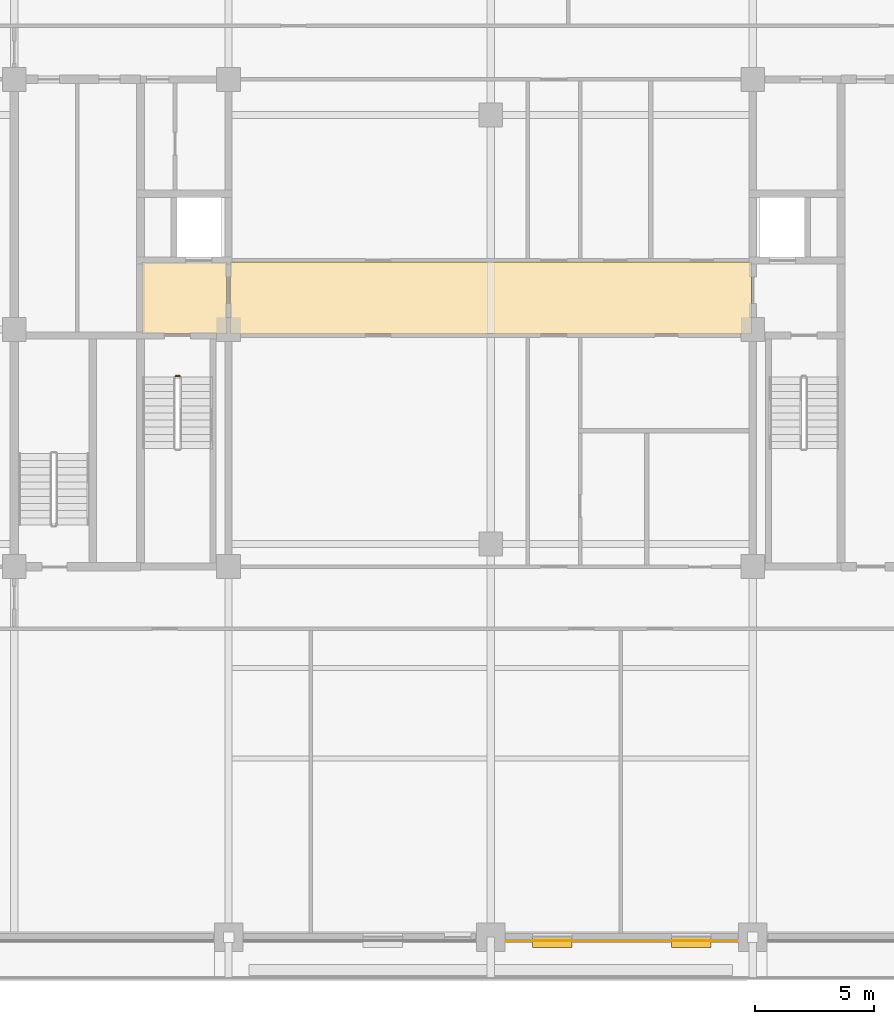
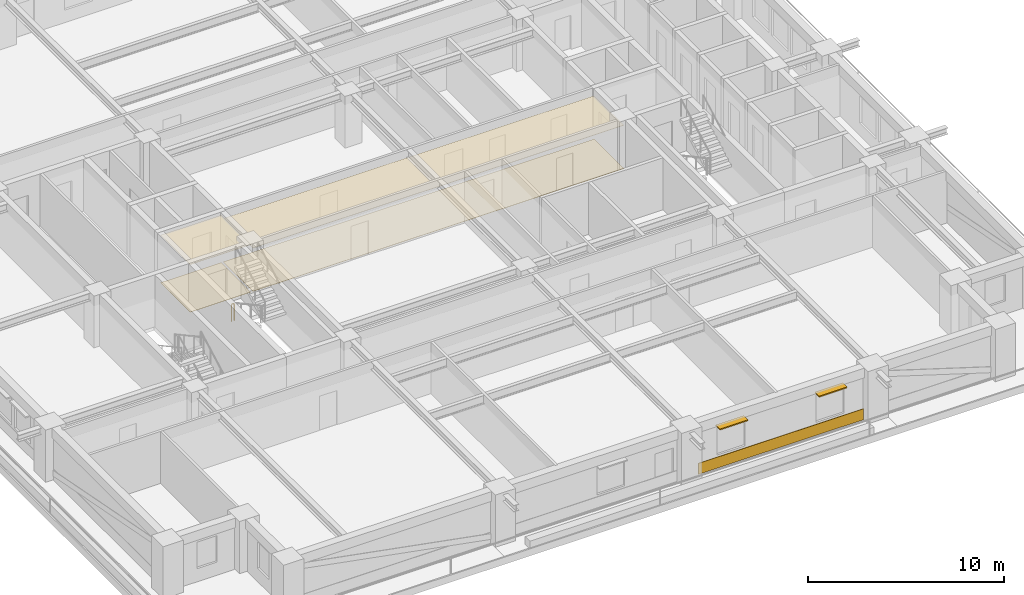
# One storey, part 12 of 15: 5 coverings, 2 shading devices, 1 railing.
"""IFC4 building model written with IfcOpenShell, lengths in metres."""

import ifcopenshell
import ifcopenshell.guid

model = None  # the IFC model being written
_history = None  # IfcOwnerHistory: only IFC2X3 demands one
_inside = {}  # id of a spatial element -> (the spatial element, [elements in it])
_under = {}  # id of a project, library or spatial element -> (it, [spatial elements below it])
_declared = {}  # id of a project -> (the project, [libraries it declares])
_typed = {}  # id of a type object -> (the type object, [elements of that type])
_made_of = {}  # id of a material, layer set ... -> (it, [elements and type objects made of it])


def new_model(schema):
    """Start an empty IFC model of exactly this schema.

    Asked for "IFC4X3", IfcOpenShell would pick the latest addendum, in which some entities
    have other attributes; the version numbers below select the first issue.
    IFC2X3 requires an IfcOwnerHistory on every rooted entity: one is made here for all.
    """
    global model, _history
    if schema == "IFC4X3":
        model = ifcopenshell.file(schema_version=(4, 3, 0, 0))
    else:
        model = ifcopenshell.file(schema=schema)
    _inside.clear()
    _under.clear()
    _declared.clear()
    _typed.clear()
    _made_of.clear()
    _history = None
    if model.schema == "IFC2X3":
        org = make("IfcOrganization", Name="unknown")
        user = make(
            "IfcPersonAndOrganization",
            ThePerson=make("IfcPerson", FamilyName="unknown"),
            TheOrganization=org,
        )
        app = make(
            "IfcApplication",
            ApplicationDeveloper=org,
            Version="unknown",
            ApplicationFullName="unknown",
            ApplicationIdentifier="unknown",
        )
        _history = make(
            "IfcOwnerHistory",
            OwningUser=user,
            OwningApplication=app,
            ChangeAction="ADDED",
            CreationDate=0,
        )
    return model


def make(cls, **values):
    """One entity of the class cls with the attributes given. An attribute that is None is left unset."""
    return model.create_entity(
        cls, **{name: value for name, value in values.items() if value is not None}
    )


def rooted(cls, **values):
    """An entity with a GlobalId (a new one), such as an element, a storey or a relation."""
    return make(cls, GlobalId=ifcopenshell.guid.new(), OwnerHistory=_history, **values)


def si_unit(unit_type, name, prefix=None):
    """IfcSIUnit, for example si_unit("LENGTHUNIT", "METRE", prefix="MILLI")."""
    return make("IfcSIUnit", UnitType=unit_type, Prefix=prefix, Name=name)


def assignment(units):
    """IfcUnitAssignment: the units of a project."""
    return None if units is None else make("IfcUnitAssignment", Units=units)


def point(xyz):
    """IfcCartesianPoint."""
    return None if xyz is None else make("IfcCartesianPoint", Coordinates=xyz)


def direction(xyz):
    """IfcDirection."""
    return None if xyz is None else make("IfcDirection", DirectionRatios=xyz)


def frame(location, z_axis=None, x_axis=None):
    """IfcAxis2Placement3D, a coordinate frame: its origin and axes. An axis left out is left unset."""
    return make(
        "IfcAxis2Placement3D",
        Location=point(location),
        Axis=direction(z_axis),
        RefDirection=direction(x_axis),
    )


def frame_2d(location, x_axis=None):
    """IfcAxis2Placement2D, a coordinate frame in the plane: its origin and x axis."""
    return make(
        "IfcAxis2Placement2D", Location=point(location), RefDirection=direction(x_axis)
    )


def origin():
    """The frame at (0, 0, 0) with its axes left unset."""
    return frame((0.0, 0.0, 0.0))


def origin_2d():
    """The frame at (0, 0) in the plane with its x axis left unset."""
    return frame_2d((0.0, 0.0))


def place(relative_to, where):
    """IfcLocalPlacement: puts the frame where relative to a parent placement (None: the world)."""
    return make(
        "IfcLocalPlacement", PlacementRelTo=relative_to, RelativePlacement=where
    )


def context(
    kind, dimensions, precision=None, world=None, true_north=None, identifier=None
):
    """IfcGeometricRepresentationContext, for example the 3D "Model" context."""
    return make(
        "IfcGeometricRepresentationContext",
        ContextIdentifier=identifier,
        ContextType=kind,
        CoordinateSpaceDimension=dimensions,
        Precision=precision,
        WorldCoordinateSystem=world,
        TrueNorth=true_north,
    )


def subcontext(parent, identifier, kind, view, scale=None):
    """IfcGeometricRepresentationSubContext, for example "Body" below "Model"."""
    return make(
        "IfcGeometricRepresentationSubContext",
        ContextIdentifier=identifier,
        ContextType=kind,
        ParentContext=parent,
        TargetScale=scale,
        TargetView=view,
    )


def project(units=None, contexts=None):
    """IfcProject with its units and contexts."""
    return rooted(
        "IfcProject",
        Name="project",
        RepresentationContexts=contexts,
        UnitsInContext=assignment(units),
    )


def spatial(cls, under=None, at=None, **own):
    """A site, building, storey or space (cls), placed at a placement, below another one or the project."""
    s = rooted(cls, ObjectPlacement=at, **own)
    if under is not None:
        _under.setdefault(under.id(), (under, []))[1].append(s)
    return s


def polyline(points):
    """IfcPolyline through the points."""
    return make("IfcPolyline", Points=[point(p) for p in points])


def profile(cls, at=None, kind="AREA", **sizes):
    """A parametric profile (cls). Its sizes go by their IFC names, for example OverallWidth=200.0."""
    return make(cls, ProfileType=kind, Position=at, **sizes)


def rectangle(**sizes):
    """IfcRectangleProfileDef."""
    return profile("IfcRectangleProfileDef", **sizes)


def outline(outer, holes=None, kind="AREA"):
    """IfcArbitraryClosedProfileDef: a profile drawn as a closed curve; with holes, ...WithVoids."""
    if holes is None:
        return make("IfcArbitraryClosedProfileDef", ProfileType=kind, OuterCurve=outer)
    return make(
        "IfcArbitraryProfileDefWithVoids",
        ProfileType=kind,
        OuterCurve=outer,
        InnerCurves=holes,
    )


def extrude(swept, where, along, depth):
    """IfcExtrudedAreaSolid: the profile swept, set in the frame where, extruded along a direction by depth."""
    return make(
        "IfcExtrudedAreaSolid",
        SweptArea=swept,
        Position=where,
        ExtrudedDirection=direction(along),
        Depth=depth,
    )


def shape(context_of_items, identifier, shape_type, items):
    """IfcShapeRepresentation: the items that make up one representation, for example the "Body"."""
    return make(
        "IfcShapeRepresentation",
        ContextOfItems=context_of_items,
        RepresentationIdentifier=identifier,
        RepresentationType=shape_type,
        Items=items,
    )


def material(Name=None, Category=None):
    """IfcMaterial."""
    return make("IfcMaterial", Name=Name, Category=Category)


def layer(
    of_material, thickness, ventilated=None, Name=None, Category=None, Priority=None
):
    """IfcMaterialLayer: one layer of a wall or slab, of a material (None: an air gap)."""
    return make(
        "IfcMaterialLayer",
        Material=of_material,
        LayerThickness=thickness,
        IsVentilated=ventilated,
        Name=Name,
        Category=Category,
        Priority=Priority,
    )


def layer_set(layers, Name=None):
    """IfcMaterialLayerSet."""
    return make("IfcMaterialLayerSet", MaterialLayers=layers, LayerSetName=Name)


def made_of(thing, what):
    """Note that an element or type object is made of a material, layer set ...; save() writes the relation."""
    if what is not None:
        _made_of.setdefault(what.id(), (what, []))[1].append(thing)
    return thing


def type_object(cls, material=None, **own):
    """A type object (cls), such as IfcWallType, which elements share."""
    return made_of(rooted(cls, **own), material)


def element(
    cls,
    number,
    at=None,
    inside=None,
    cuts=None,
    type_object=None,
    material=None,
    context=None,
    identifier="Body",
    shape_type=None,
    held_by="IfcProductDefinitionShape",
    body=None,
    shapes=None,
    **own,
):
    """One element of the class cls, such as IfcWall. Its Tag is "e" and its number.

    at: its placement. inside: the storey or other place that contains it. cuts: it is an
    opening in that element (IfcRelVoidsElement). A single representation is given by context,
    identifier, shape_type and body (its items); several are given by shapes. held_by: the class
    of the entity that holds the representations. save() writes the other relations.
    """
    e = rooted(cls, Tag="e%d" % number, ObjectPlacement=at, **own)
    if body is not None:
        shapes = [shape(context, identifier, shape_type, body)]
    if shapes is not None:
        e.Representation = make(held_by, Representations=shapes)
    if inside is not None:
        _inside.setdefault(inside.id(), (inside, []))[1].append(e)
    if cuts is not None:
        rooted(
            "IfcRelVoidsElement", RelatingBuildingElement=cuts, RelatedOpeningElement=e
        )
    if type_object is not None:
        _typed.setdefault(type_object.id(), (type_object, []))[1].append(e)
    return made_of(e, material)


def aggregate(whole, parts):
    """IfcRelAggregates: a whole, such as a stair, and the parts it consists of."""
    return rooted("IfcRelAggregates", RelatingObject=whole, RelatedObjects=parts)


def save(model, path):
    """Write the relations noted so far, then the file.

    IfcRelAggregates (storeys below a building ...), IfcRelContainedInSpatialStructure (elements
    in a storey), IfcRelDefinesByType, IfcRelAssociatesMaterial and IfcRelDeclares: one each for
    every whole, place, type object, material and project.
    """
    for whole, parts in _under.values():
        aggregate(whole, parts)
    for where, things in _inside.values():
        rooted(
            "IfcRelContainedInSpatialStructure",
            RelatedElements=things,
            RelatingStructure=where,
        )
    for kind, things in _typed.values():
        rooted("IfcRelDefinesByType", RelatedObjects=things, RelatingType=kind)
    for what, things in _made_of.values():
        rooted("IfcRelAssociatesMaterial", RelatedObjects=things, RelatingMaterial=what)
    for by, libraries in _declared.values():
        rooted("IfcRelDeclares", RelatingContext=by, RelatedDefinitions=libraries)
    model.write(path)


model = new_model("IFC4")

# Units and contexts
model_context = context("Model", 3, precision=1e-05, world=origin(), true_north=direction((0.0, 1.0)))
body_context = subcontext(model_context, "Body", "Model", "MODEL_VIEW")
ifc_project = project(units=[si_unit("LENGTHUNIT", "METRE"), si_unit("AREAUNIT", "SQUARE_METRE"), si_unit("VOLUMEUNIT", "CUBIC_METRE"), si_unit("PLANEANGLEUNIT", "RADIAN"), si_unit("MASSUNIT", "GRAM", prefix="KILO")], contexts=[model_context])

# Site, building, storey
site_placement = place(None, origin())
site = spatial("IfcSite", under=ifc_project, at=site_placement, CompositionType="ELEMENT")
building_placement = place(site_placement, origin())
building = spatial("IfcBuilding", under=site, at=building_placement, Name="Zulmaris Gate Convention Tower", CompositionType="ELEMENT")
storey_placement = place(building_placement, frame((0.0, 0.0, 139.199951171875)))
storey = spatial("IfcBuildingStorey", under=building, at=storey_placement, Name="L35", CompositionType="ELEMENT", Elevation=139.199951171875)

# Coverings
ifc_material_1 = material(Name="Precast concrete C40/50", Category="concrete")
ifc_layer_1 = layer(ifc_material_1, 0.0400390625, Name="Precast concrete C40/50")
ifc_layer_set_1 = layer_set([ifc_layer_1], Name="Precast concrete C40/50")
covering_type_1 = type_object("IfcCoveringType", Name="CLAD-SPANDREL-PRECAST", PredefinedType="CLADDING", material=ifc_layer_set_1)
covering_1_placement = place(storey_placement, frame((0.6298828125, -25.64990234375, 0.0), z_axis=(0.0, 0.0, 1.0), x_axis=(1.0, 0.0, 0.0)))
element("IfcCovering", 1, at=covering_1_placement, inside=storey, type_object=covering_type_1, Name="CLD-L35-S-2_0", PredefinedType="CLADDING", context=body_context, shape_type="SweptSolid", body=[
    extrude(rectangle(XDim=9.740234375, YDim=0.0400390625, at=frame_2d((4.8701171875, 0.0))), origin(), (0.0, 0.0, 1.0), 0.679931640625),
])
ifc_material_2 = material(Name="Mineral Fibre Acoustic Ceiling Tile")
ifc_layer_2 = layer(ifc_material_2, 0.02001953125, Name="Mineral Fibre Acoustic Ceiling Tile")
ifc_layer_set_2 = layer_set([ifc_layer_2], Name="Mineral Fibre Acoustic Ceiling Tile")
covering_type_2 = type_object("IfcCoveringType", Name="CLG-ACOUSTIC-600", PredefinedType="CEILING", material=ifc_layer_set_2)
covering_2_placement = place(storey_placement, frame((0.0, 0.0, 2.96484375)))
element("IfcCovering", 2, at=covering_2_placement, inside=storey, type_object=covering_type_2, Name="CLG-L35-R03", PredefinedType="CEILING", context=body_context, shape_type="SweptSolid", body=[
    extrude(outline(polyline([(-14.639892578125, -0.18994140625), (-11.06005859375, -0.18994140625), (-11.06005859375, 2.840087890625), (-14.639892578125, 2.840087890625), (-14.639892578125, -0.18994140625)])), origin(), (0.0, 0.0, 1.0), 0.02001953125),
])
covering_3_placement = place(storey_placement, frame((0.0, 0.0, 2.702880859375)))
element("IfcCovering", 3, at=covering_3_placement, inside=storey, type_object=covering_type_2, Name="CLG-L35-R30", PredefinedType="CEILING", context=body_context, shape_type="SweptSolid", body=[
    extrude(outline(polyline([(-10.93994140625, -0.18994140625), (10.93994140625, -0.18994140625), (10.93994140625, 2.840087890625), (-10.93994140625, 2.840087890625), (-10.93994140625, -0.18994140625)])), origin(), (0.0, 0.0, 1.0), 0.02001953125),
])
ifc_material_3 = material(Name="Woven Acoustic Wool Carpet Tile")
ifc_layer_3 = layer(ifc_material_3, 0.02001953125, Name="Woven Acoustic Wool Carpet Tile")
ifc_layer_set_3 = layer_set([ifc_layer_3], Name="Woven Acoustic Wool Carpet Tile")
covering_type_3 = type_object("IfcCoveringType", Name="FLR-CARPET-12", PredefinedType="FLOORING", material=ifc_layer_set_3)
covering_4_placement = place(storey_placement, origin())
element("IfcCovering", 4, at=covering_4_placement, inside=storey, type_object=covering_type_3, Name="FLR-L35-R03", PredefinedType="FLOORING", context=body_context, shape_type="SweptSolid", body=[
    extrude(outline(polyline([(-14.639892578125, -0.18994140625), (-11.06005859375, -0.18994140625), (-11.06005859375, 2.840087890625), (-14.639892578125, 2.840087890625), (-14.639892578125, -0.18994140625)])), origin(), (0.0, 0.0, 1.0), 0.02001953125),
])
covering_5_placement = place(storey_placement, origin())
element("IfcCovering", 5, at=covering_5_placement, inside=storey, type_object=covering_type_3, Name="FLR-L35-R30", PredefinedType="FLOORING", context=body_context, shape_type="SweptSolid", body=[
    extrude(outline(polyline([(-10.93994140625, -0.18994140625), (10.93994140625, -0.18994140625), (10.93994140625, 2.840087890625), (-10.93994140625, 2.840087890625), (-10.93994140625, -0.18994140625)])), origin(), (0.0, 0.0, 1.0), 0.02001953125),
])

# Railing
ifc_material_4 = material(Name="Painted Galvanised Steel", Category="steel")
railing_type = type_object("IfcRailingType", Name="RL-STG-1150", PredefinedType="GUARDRAIL", material=ifc_material_4)
railing_placement = place(storey_placement, frame((-13.219970703125, -1.949951171875, 0.0)))
element("IfcRailing", 6, at=railing_placement, inside=storey, type_object=railing_type, Name="L35 ST-1 stair guard 4", PredefinedType="GUARDRAIL", context=body_context, shape_type="SweptSolid", body=[
    extrude(rectangle(XDim=0.048095703125, YDim=0.048095703125, at=origin_2d()), frame((0.0, 0.0, 1.076171875), z_axis=(1.0, 0.0, 0.0), x_axis=(0.0, 1.0, 0.0)), (0.0, 0.0, 1.0), 0.159912109375),
    extrude(rectangle(XDim=0.0419921875, YDim=0.0419921875, at=origin_2d()), origin(), (0.0, 0.0, 1.0), 1.052001953125),
    extrude(rectangle(XDim=0.0419921875, YDim=0.0419921875, at=origin_2d()), frame((0.159912109375, 0.0, 0.0)), (0.0, 0.0, 1.0), 1.052001953125),
])

# Shading devices
ifc_material_5 = material(Name="Glazed Ceramic Terracotta", Category="masonry")
ifc_layer_4 = layer(ifc_material_5, 0.070068359375, Name="Glazed Ceramic Terracotta")
ifc_layer_set_4 = layer_set([ifc_layer_4], Name="Glazed Ceramic Terracotta")
shading_device_type = type_object("IfcShadingDeviceType", Name="SHD-SUNSHADE-TC", PredefinedType="AWNING", material=ifc_layer_set_4)
for number, where, z_axis, x_axis, name in (
    (7, (1.7529296875, -25.719970703125, 2.530029296875), (0.0, 0.0, 1.0), (1.0, 0.0, 0.0), "SHD-EW-L35-S-2_0-1"),
    (8, (7.596923828125, -25.719970703125, 2.530029296875), (0.0, 0.0, 1.0), (1.0, 0.0, 0.0), "SHD-EW-L35-S-2_0-4"),
):
    element("IfcShadingDevice", number, at=place(storey_placement, frame(where, z_axis=z_axis, x_axis=x_axis)), inside=storey, type_object=shading_device_type, Name=name, PredefinedType="AWNING", context=body_context, shape_type="SweptSolid", body=[
        extrude(rectangle(XDim=1.650146484375, YDim=0.43994140625, at=frame_2d((0.8251953125, 0.0))), origin(), (0.0, 0.0, 1.0), 0.070068359375),
    ])

save(model, "model.ifc")
